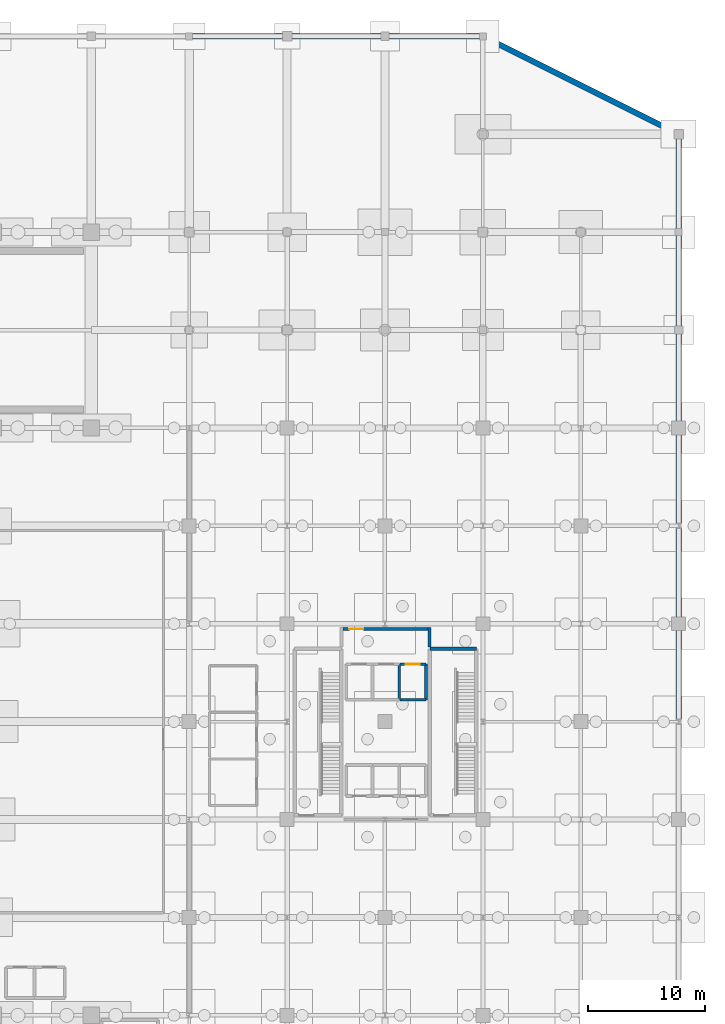
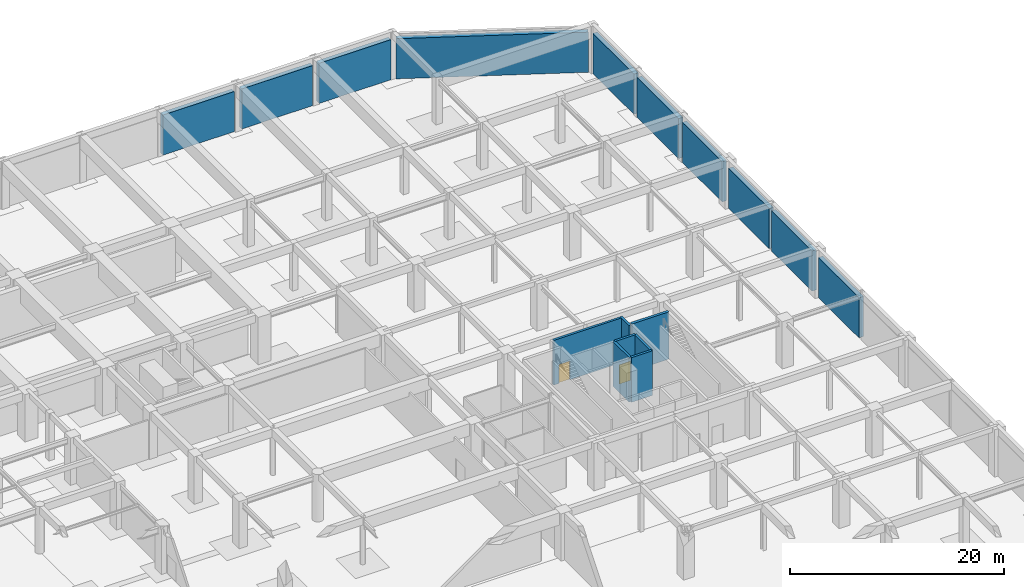
# One storey, part 24 of 26: 17 walls, 2 doors, 2 openings.
"""IFC4 building model written with IfcOpenShell, lengths in metres."""

from ifc_helpers import new_model, si_unit, direction, frame, frame_2d, origin, place, context, subcontext, project, spatial, rectangle, extrude, material, layer, layer_set, type_object, element, fill, save


model = new_model("IFC4")

# Units and contexts
model_context = context("Model", 3, precision=1e-05, world=origin(), true_north=direction((0.0, 1.0)))
body_context = subcontext(model_context, "Body", "Model", "MODEL_VIEW")
ifc_project = project(units=[si_unit("LENGTHUNIT", "METRE"), si_unit("AREAUNIT", "SQUARE_METRE"), si_unit("VOLUMEUNIT", "CUBIC_METRE"), si_unit("PLANEANGLEUNIT", "RADIAN"), si_unit("MASSUNIT", "GRAM", prefix="KILO")], contexts=[model_context])

# Site, building, storey
site_placement = place(None, origin())
site = spatial("IfcSite", under=ifc_project, at=site_placement, CompositionType="ELEMENT")
building_placement = place(site_placement, origin())
building = spatial("IfcBuilding", under=site, at=building_placement, Name="Xuanlan Plaza Opera House", CompositionType="ELEMENT")
storey_placement = place(building_placement, frame((0.0, 0.0, -5.39990234375)))
storey = spatial("IfcBuildingStorey", under=building, at=storey_placement, Name="B01", CompositionType="ELEMENT", Elevation=-5.39990234375)

# Walls
ifc_material_1 = material(Name="Concrete C50", Category="concrete")
ifc_layer_1 = layer(ifc_material_1, 0.47998046875)
ifc_layer_set_1 = layer_set([ifc_layer_1], Name="Concrete C50")
wall_type_1 = type_object("IfcWallType", Name="ENV-WL-EW-B01", PredefinedType="SHEAR", material=ifc_layer_set_1)
for number, where, z_axis, x_axis, name in (
    (1, (168.0, 59.007080078125, 0.0), (0.0, 0.0, 1.0), (0.0, 1.0, 0.0), "Exterior Wall B01-024"),
    (2, (168.0, 67.800048828125, 0.0), (0.0, 0.0, 1.0), (0.0, 1.0, 0.0), "Exterior Wall B01-025"),
    (3, (168.0, 75.806884765625, 0.0), (0.0, 0.0, 1.0), (0.0, 1.0, 0.0), "Exterior Wall B01-026"),
):
    element("IfcWall", number, at=place(storey_placement, frame(where, z_axis=z_axis, x_axis=x_axis)), inside=storey, type_object=wall_type_1, Name=name, PredefinedType="SHEAR", context=body_context, shape_type="SweptSolid", body=[
        extrude(rectangle(XDim=7.593017578125, YDim=0.47998046875, at=frame_2d((3.79638671875, 0.0))), origin(), (0.0, 0.0, 1.0), 4.579833984375),
    ])
wall_1_placement = place(storey_placement, frame((168.0, 84.60009765625, 0.0), z_axis=(0.0, 0.0, 1.0), x_axis=(0.0, 1.0, 0.0)))
element("IfcWall", 4, at=wall_1_placement, inside=storey, type_object=wall_type_1, Name="Exterior Wall B01-027", PredefinedType="SHEAR", context=body_context, shape_type="SweptSolid", body=[
    extrude(rectangle(XDim=7.449951171875, YDim=0.47998046875, at=frame_2d((3.72509765625, 0.0))), origin(), (0.0, 0.0, 1.0), 4.579833984375),
])
wall_2_placement = place(storey_placement, frame((168.0, 92.75, 0.0), z_axis=(0.0, 0.0, 1.0), x_axis=(0.0, 1.0, 0.0)))
element("IfcWall", 5, at=wall_2_placement, inside=storey, type_object=wall_type_1, Name="Exterior Wall B01-028", PredefinedType="SHEAR", context=body_context, shape_type="SweptSolid", body=[
    extrude(rectangle(XDim=7.75, YDim=0.47998046875, at=frame_2d((3.875, 0.0))), origin(), (0.0, 0.0, 1.0), 4.579833984375),
])
wall_3_placement = place(storey_placement, frame((168.0, 101.10009765625, 0.0), z_axis=(0.0, 0.0, 1.0), x_axis=(0.0, 1.0, 0.0)))
element("IfcWall", 6, at=wall_3_placement, inside=storey, type_object=wall_type_1, Name="Exterior Wall B01-029", PredefinedType="SHEAR", context=body_context, shape_type="SweptSolid", body=[
    extrude(rectangle(XDim=7.699951171875, YDim=0.47998046875, at=frame_2d((3.85009765625, 0.0))), origin(), (0.0, 0.0, 1.0), 4.579833984375),
])
wall_4_placement = place(storey_placement, frame((167.60009765625, 109.39990234375, 0.0), z_axis=(0.0, 0.0, 1.0), x_axis=(-0.894427191, 0.4472135955, 0.0)))
element("IfcWall", 7, at=wall_4_placement, inside=storey, type_object=wall_type_1, Name="Exterior Wall B01-030", PredefinedType="SHEAR", context=body_context, shape_type="SweptSolid", body=[
    extrude(rectangle(XDim=18.00048828125, YDim=0.47998046875, at=frame_2d((9.000244140625, 0.0))), origin(), (0.0, 0.0, 1.0), 4.579833984375),
])
wall_5_placement = place(storey_placement, frame((150.89990234375, 117.60009765625, 0.0), z_axis=(0.0, 0.0, 1.0), x_axis=(-1.0, 0.0, 0.0)))
element("IfcWall", 8, at=wall_5_placement, inside=storey, type_object=wall_type_1, Name="Exterior Wall B01-031", PredefinedType="SHEAR", context=body_context, shape_type="SweptSolid", body=[
    extrude(rectangle(XDim=7.75, YDim=0.47998046875, at=frame_2d((3.875, 0.0))), origin(), (0.0, 0.0, 1.0), 4.579833984375),
])
wall_6_placement = place(storey_placement, frame((142.449951171875, 117.60009765625, 0.0), z_axis=(0.0, 0.0, 1.0), x_axis=(-1.0, 0.0, 0.0)))
element("IfcWall", 9, at=wall_6_placement, inside=storey, type_object=wall_type_1, Name="Exterior Wall B01-032", PredefinedType="SHEAR", context=body_context, shape_type="SweptSolid", body=[
    extrude(rectangle(XDim=7.64990234375, YDim=0.47998046875, at=frame_2d((3.824951171875, 0.0))), origin(), (0.0, 0.0, 1.0), 4.579833984375),
])
wall_7_placement = place(storey_placement, frame((134.0, 117.60009765625, 0.0), z_axis=(0.0, 0.0, 1.0), x_axis=(-1.0, 0.0, 0.0)))
element("IfcWall", 10, at=wall_7_placement, inside=storey, type_object=wall_type_1, Name="Exterior Wall B01-033", PredefinedType="SHEAR", context=body_context, shape_type="SweptSolid", body=[
    extrude(rectangle(XDim=7.699951171875, YDim=0.47998046875, at=frame_2d((3.85009765625, 0.0))), origin(), (0.0, 0.0, 1.0), 4.579833984375),
])
ifc_material_2 = material(Name="Concrete C40", Category="concrete")
ifc_layer_2 = layer(ifc_material_2, 0.25)
ifc_layer_set_2 = layer_set([ifc_layer_2], Name="Concrete C40")
wall_type_2 = type_object("IfcWallType", Name="INT-WL-SW-LF1", PredefinedType="SHEAR", material=ifc_layer_set_2)
wall_8_placement = place(storey_placement, frame((144.02490234375, 60.675048828125, 0.0), z_axis=(0.0, 0.0, 1.0), x_axis=(0.0, 1.0, 0.0)))
element("IfcWall", 11, at=wall_8_placement, inside=storey, type_object=wall_type_2, Name="Lift Shaft Wall LF-FF2 B01 East", PredefinedType="SHEAR", context=body_context, shape_type="SweptSolid", body=[
    extrude(rectangle(XDim=3.050048828125, YDim=0.25, at=frame_2d((1.52490234375, 0.0))), origin(), (0.0, 0.0, 1.0), 5.099853515625),
])
wall_9_placement = place(storey_placement, frame((144.074951171875, 60.675048828125, 0.0), z_axis=(0.0, 0.0, 1.0), x_axis=(1.0, 0.0, 0.0)))
element("IfcWall", 12, at=wall_9_placement, inside=storey, type_object=wall_type_2, Name="Lift Shaft Wall LF-FF3 B01 South", PredefinedType="SHEAR", context=body_context, shape_type="SweptSolid", body=[
    extrude(rectangle(XDim=2.25, YDim=0.25, at=frame_2d((1.125, 0.0))), origin(), (0.0, 0.0, 1.0), 5.099853515625),
])

# Wall, opening, door
wall_10_placement = place(storey_placement, frame((144.074951171875, 63.72509765625, 0.0), z_axis=(0.0, 0.0, 1.0), x_axis=(1.0, 0.0, 0.0)))
wall_10 = element("IfcWall", 13, at=wall_10_placement, inside=storey, type_object=wall_type_2, Name="Lift Shaft Wall LF-FF3 B01 North", PredefinedType="SHEAR", context=body_context, shape_type="SweptSolid", body=[
    extrude(rectangle(XDim=2.25, YDim=0.25, at=frame_2d((1.125, 0.0))), origin(), (0.0, 0.0, 1.0), 5.099853515625),
])
opening_1_placement = place(wall_10_placement, frame((0.52490234375, 0.0, 0.0)))
opening_1 = element("IfcOpeningElement", 14, at=opening_1_placement, cuts=wall_10, Name="Opening LD-FF3-B01", PredefinedType="OPENING", context=body_context, shape_type="SweptSolid", body=[
    extrude(rectangle(XDim=1.199951171875, YDim=2.179931640625, at=frame_2d((0.60009765625, 1.08984375))), frame((0.0, 0.135009765625, 0.0), z_axis=(0.0, -1.0, 0.0), x_axis=(1.0, 0.0, 0.0)), (0.0, 0.0, 1.0), 0.27001953125),
])
ifc_material_3 = material(Name="Stainless Steel S30408", Category="steel")
door_type_1 = type_object("IfcDoorType", Name="INT-DR-LD-02", OperationType="DOUBLE_DOOR_SLIDING", PredefinedType="DOOR", material=ifc_material_3)
door_1_placement = place(opening_1_placement, origin())
door_1 = element("IfcDoor", 15, at=door_1_placement, inside=storey, type_object=door_type_1, Name="Lift Sliding Landing Door LF-FF3 B01", OperationType="DOUBLE_DOOR_SLIDING", OverallHeight=2.179931640625, OverallWidth=1.199951171875, PredefinedType="DOOR", context=body_context, shape_type="SweptSolid", body=[
    extrude(rectangle(XDim=1.199951171875, YDim=2.179931640625, at=frame_2d((0.60009765625, 1.08984375))), frame((0.0, 0.02490234375, 0.0), z_axis=(0.0, -1.0, 0.0), x_axis=(1.0, 0.0, 0.0)), (0.0, 0.0, 1.0), 0.050048828125),
])
fill(opening_1, door_1)

# Walls
wall_11_placement = place(storey_placement, frame((146.324951171875, 60.675048828125, 0.0), z_axis=(0.0, 0.0, 1.0), x_axis=(0.0, 1.0, 0.0)))
element("IfcWall", 16, at=wall_11_placement, inside=storey, type_object=wall_type_2, Name="Lift Shaft Wall LF-FF3 B01 East", PredefinedType="SHEAR", context=body_context, shape_type="SweptSolid", body=[
    extrude(rectangle(XDim=3.050048828125, YDim=0.25, at=frame_2d((1.52490234375, 0.0))), origin(), (0.0, 0.0, 1.0), 5.099853515625),
])
wall_12_placement = place(storey_placement, frame((146.625, 65.199951171875, 0.0), z_axis=(0.0, 0.0, 1.0), x_axis=(0.0, 1.0, 0.0)))
element("IfcWall", 17, at=wall_12_placement, inside=storey, type_object=wall_type_2, Name="Firefighting Lift Lobby Enclosure Wall B01 E", PredefinedType="SHEAR", context=body_context, shape_type="SweptSolid", body=[
    extrude(rectangle(XDim=1.675048828125, YDim=0.25, at=frame_2d((0.83740234375, 0.0))), origin(), (0.0, 0.0, 1.0), 5.099853515625),
])

# Wall, opening, door
wall_13_placement = place(storey_placement, frame((139.199951171875, 66.75, 0.0), z_axis=(0.0, 0.0, 1.0), x_axis=(1.0, 0.0, 0.0)))
wall_13 = element("IfcWall", 18, at=wall_13_placement, inside=storey, type_object=wall_type_2, Name="Firefighting Lift Lobby Wall North", PredefinedType="SHEAR", context=body_context, shape_type="SweptSolid", body=[
    extrude(rectangle(XDim=7.300048828125, YDim=0.25, at=frame_2d((3.64990234375, 0.0))), origin(), (0.0, 0.0, 1.0), 5.099853515625),
])
opening_2_placement = place(wall_13_placement, frame((0.550048828125, 0.0, 0.0)))
opening_2 = element("IfcOpeningElement", 19, at=opening_2_placement, cuts=wall_13, Name="Opening FD-02", PredefinedType="OPENING", context=body_context, shape_type="SweptSolid", body=[
    extrude(rectangle(XDim=1.199951171875, YDim=2.14990234375, at=frame_2d((0.60009765625, 1.074951171875))), frame((0.0, 0.135009765625, 0.0), z_axis=(0.0, -1.0, 0.0), x_axis=(1.0, 0.0, 0.0)), (0.0, 0.0, 1.0), 0.27001953125),
])
ifc_material_4 = material(Name="Galvanised Steel Q235B", Category="steel")
door_type_2 = type_object("IfcDoorType", Name="INT-DR-FD-02", OperationType="NOTDEFINED", PredefinedType="DOOR", material=ifc_material_4)
door_2_placement = place(opening_2_placement, origin())
door_2 = element("IfcDoor", 20, at=door_2_placement, inside=storey, type_object=door_type_2, Name="Firefighting Lift Lobby Door 1", OperationType="SINGLE_SWING_RIGHT", OverallHeight=2.14990234375, OverallWidth=1.199951171875, PredefinedType="DOOR", context=body_context, shape_type="SweptSolid", body=[
    extrude(rectangle(XDim=1.199951171875, YDim=2.14990234375, at=frame_2d((0.60009765625, 1.074951171875))), frame((0.0, 0.02490234375, 0.0), z_axis=(0.0, -1.0, 0.0), x_axis=(1.0, 0.0, 0.0)), (0.0, 0.0, 1.0), 0.050048828125),
])
fill(opening_2, door_2)

# Wall
ifc_layer_3 = layer(ifc_material_2, 0.300048828125)
ifc_layer_set_3 = layer_set([ifc_layer_3], Name="Concrete C40")
wall_type_3 = type_object("IfcWallType", Name="INT-WL-SW-ST1", PredefinedType="SHEAR", material=ifc_layer_set_3)
wall_14_placement = place(storey_placement, frame((146.64990234375, 65.050048828125, 0.0), z_axis=(0.0, 0.0, 1.0), x_axis=(1.0, 0.0, 0.0)))
element("IfcWall", 21, at=wall_14_placement, inside=storey, type_object=wall_type_3, Name="Stair Core Wall ST-T2 B01 North", PredefinedType="SHEAR", context=body_context, shape_type="SweptSolid", body=[
    extrude(rectangle(XDim=4.0, YDim=0.300048828125, at=frame_2d((2.0, 0.0))), origin(), (0.0, 0.0, 1.0), 5.39990234375),
])

save(model, "model.ifc")
